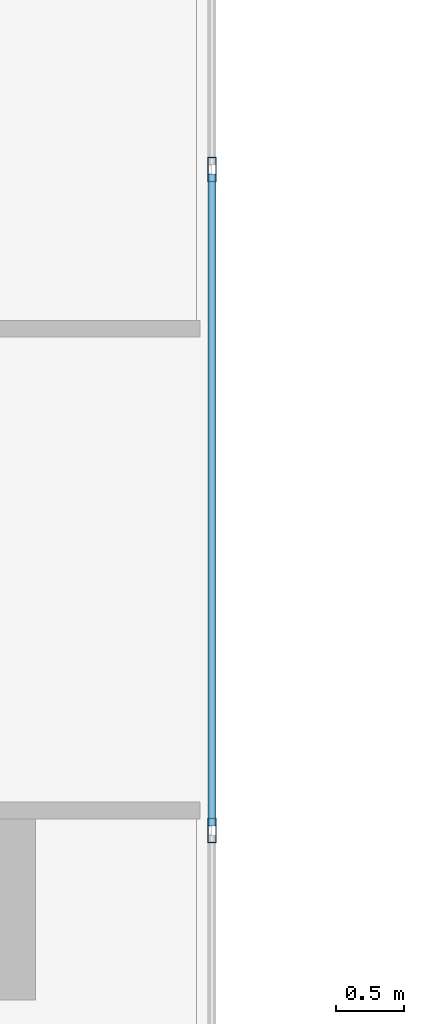
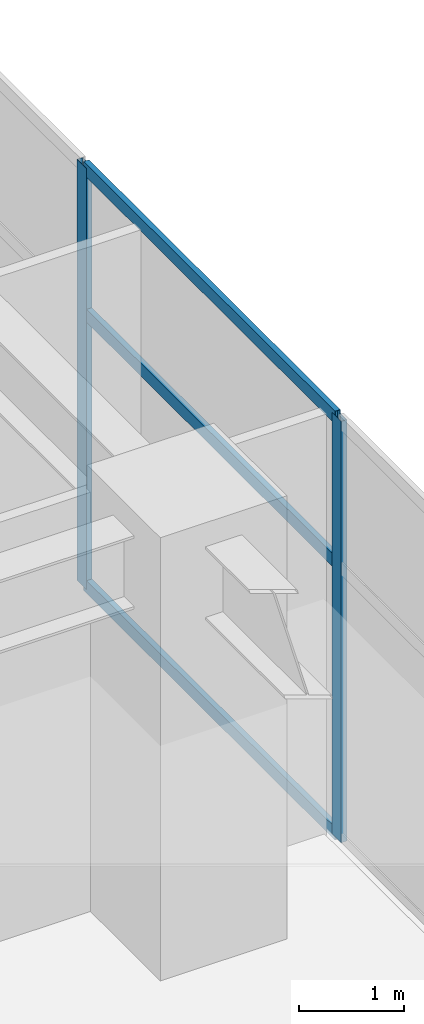
# One storey, part 10 of 22: 5 members, 1 element without a shape of its own.
"""IFC4 building model written with IfcOpenShell, lengths in metres."""

from ifc_helpers import new_model, si_unit, direction, frame, origin, origin_2d, place, context, subcontext, project, spatial, hollow_rectangle, extrude, material, layer, layer_set, material_profile, profile_set, type_object, element, aggregate, save


model = new_model("IFC4")

# Units and contexts
model_context = context("Model", 3, precision=1e-05, world=origin(), true_north=direction((0.0, 1.0)))
body_context = subcontext(model_context, "Body", "Model", "MODEL_VIEW")
ifc_project = project(units=[si_unit("LENGTHUNIT", "METRE"), si_unit("AREAUNIT", "SQUARE_METRE"), si_unit("VOLUMEUNIT", "CUBIC_METRE"), si_unit("PLANEANGLEUNIT", "RADIAN"), si_unit("MASSUNIT", "GRAM", prefix="KILO")], contexts=[model_context])

# Site, building, storey
site_placement = place(None, origin())
site = spatial("IfcSite", under=ifc_project, at=site_placement, CompositionType="ELEMENT")
building_placement = place(site_placement, origin())
building = spatial("IfcBuilding", under=site, at=building_placement, Name="Mawjaban Terraces University", CompositionType="ELEMENT")
storey_placement = place(building_placement, frame((0.0, 0.0, 10.39990234375)))
storey = spatial("IfcBuildingStorey", under=building, at=storey_placement, Name="L02", CompositionType="ELEMENT", Elevation=10.39990234375)

# Curtain wall, members
ifc_material_1 = material(Name="Anodised aluminium 6063-T6 and solar-control low-E glass", Category="aluminium")
ifc_layer = layer(ifc_material_1, 0.179931640625)
ifc_layer_set = layer_set([ifc_layer], Name="Anodised aluminium 6063-T6 and solar-control low-E glass")
curtain_wall_type = type_object("IfcCurtainWallType", Name="CWSystem_01_PlazaFoyer", PredefinedType="NOTDEFINED", material=ifc_layer_set)
curtain_wall_placement = place(storey_placement, origin())
curtain_wall = element("IfcCurtainWall", 1, at=curtain_wall_placement, inside=storey, type_object=curtain_wall_type, Name="L02 Curtain Wall CW-01 Run 6.1", PredefinedType="NOTDEFINED")
ifc_material_2 = material(Name="Anodised aluminium 6063-T6", Category="aluminium")
ifc_material_profile_1 = material_profile(ifc_material_2, hollow_rectangle(XDim=0.06494140625, YDim=0.179931640625, WallThickness=0.00390625, at=origin_2d()), Name="ALU180X65X4")
ifc_profile_set_1 = profile_set([ifc_material_profile_1], Name="Anodised aluminium 6063-T6")
member_type_1 = type_object("IfcMemberType", Name="Mullion_CW-01", PredefinedType="MULLION", material=ifc_profile_set_1)
member_1_placement = place(storey_placement, frame((54.0, 41.75, 0.0), z_axis=(0.0, 0.0, 1.0), x_axis=(-1.0, 0.0, 0.0)))
member_1 = element("IfcMember", 2, at=member_1_placement, type_object=member_type_1, Name="CW-01 mullion 3", PredefinedType="MULLION", context=body_context, shape_type="SweptSolid", body=[
    extrude(hollow_rectangle(XDim=0.06494140625, YDim=0.179931640625, WallThickness=0.00390625, at=origin_2d()), origin(), (0.0, 0.0, 1.0), 4.920166015625),
])
member_2_placement = place(storey_placement, frame((54.0, 46.625, 0.0), z_axis=(0.0, 0.0, 1.0), x_axis=(-1.0, 0.0, 0.0)))
member_2 = element("IfcMember", 3, at=member_2_placement, type_object=member_type_1, Name="CW-01 mullion 4", PredefinedType="MULLION", context=body_context, shape_type="SweptSolid", body=[
    extrude(hollow_rectangle(XDim=0.06494140625, YDim=0.179931640625, WallThickness=0.00390625, at=origin_2d()), origin(), (0.0, 0.0, 1.0), 4.920166015625),
])
ifc_material_profile_2 = material_profile(ifc_material_2, hollow_rectangle(XDim=0.06005859375, YDim=0.14990234375, WallThickness=0.00390625, at=origin_2d()), Name="ALU150X60X4")
ifc_profile_set_2 = profile_set([ifc_material_profile_2], Name="Anodised aluminium 6063-T6")
member_type_2 = type_object("IfcMemberType", Name="Transom_CW-01", PredefinedType="NOTDEFINED", material=ifc_profile_set_2)
member_3_placement = place(storey_placement, frame((54.0, 41.782470703125, 0.030029296875), z_axis=(0.0, 1.0, 0.0), x_axis=(-1.0, 0.0, 0.0)))
member_3 = element("IfcMember", 4, at=member_3_placement, type_object=member_type_2, Name="CW-01 transom 3.1", ObjectType="TRANSOM", PredefinedType="USERDEFINED", context=body_context, shape_type="SweptSolid", body=[
    extrude(hollow_rectangle(XDim=0.06005859375, YDim=0.14990234375, WallThickness=0.00390625, at=origin_2d()), origin(), (0.0, 0.0, 1.0), 4.81005859375),
])
member_4_placement = place(storey_placement, frame((54.0, 41.782470703125, 3.197998046875), z_axis=(0.0, 1.0, 0.0), x_axis=(-1.0, 0.0, 0.0)))
member_4 = element("IfcMember", 5, at=member_4_placement, type_object=member_type_2, Name="CW-01 transom 3.2", ObjectType="TRANSOM", PredefinedType="USERDEFINED", context=body_context, shape_type="SweptSolid", body=[
    extrude(hollow_rectangle(XDim=0.06005859375, YDim=0.14990234375, WallThickness=0.00390625, at=origin_2d()), origin(), (0.0, 0.0, 1.0), 4.81005859375),
])
member_5_placement = place(storey_placement, frame((54.0, 41.782470703125, 4.89013671875), z_axis=(0.0, 1.0, 0.0), x_axis=(-1.0, 0.0, 0.0)))
member_5 = element("IfcMember", 6, at=member_5_placement, type_object=member_type_2, Name="CW-01 transom 3.3", ObjectType="TRANSOM", PredefinedType="USERDEFINED", context=body_context, shape_type="SweptSolid", body=[
    extrude(hollow_rectangle(XDim=0.06005859375, YDim=0.14990234375, WallThickness=0.00390625, at=origin_2d()), origin(), (0.0, 0.0, 1.0), 4.81005859375),
])
aggregate(curtain_wall, [member_1, member_2, member_3, member_4, member_5])

save(model, "model.ifc")
